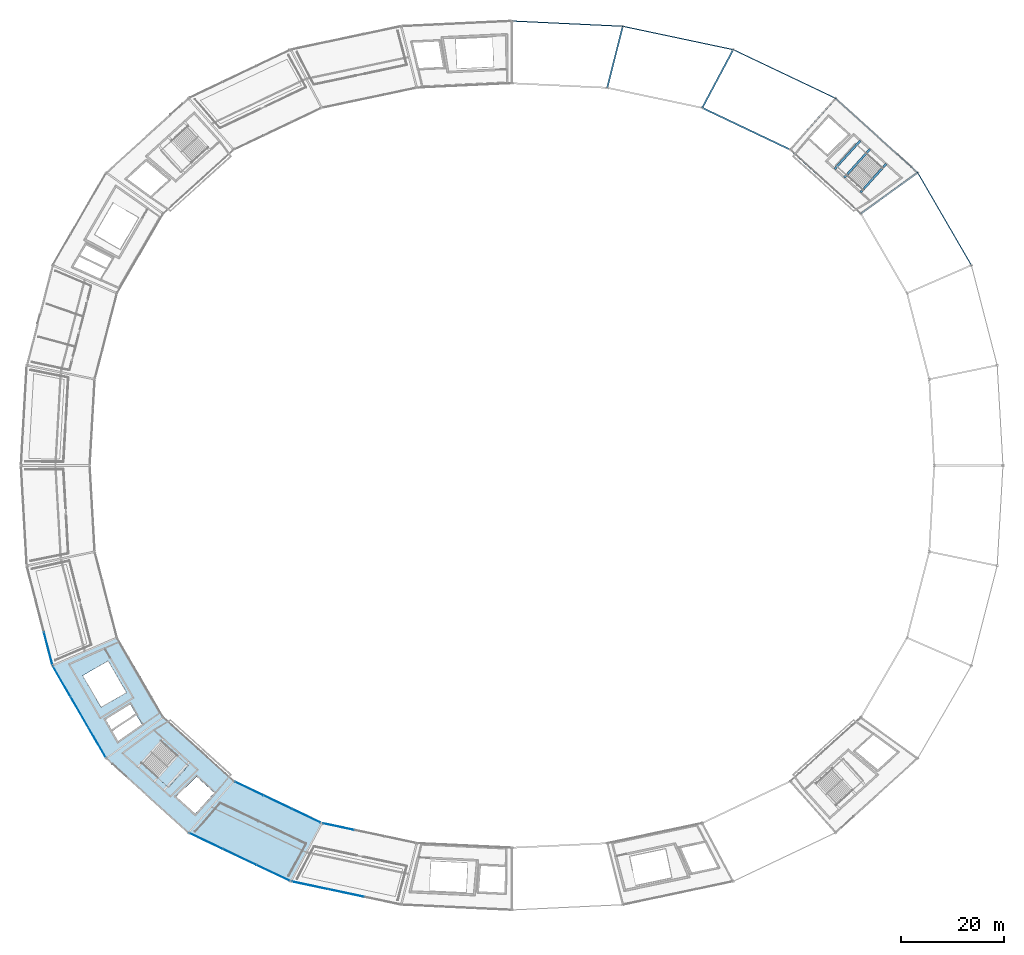
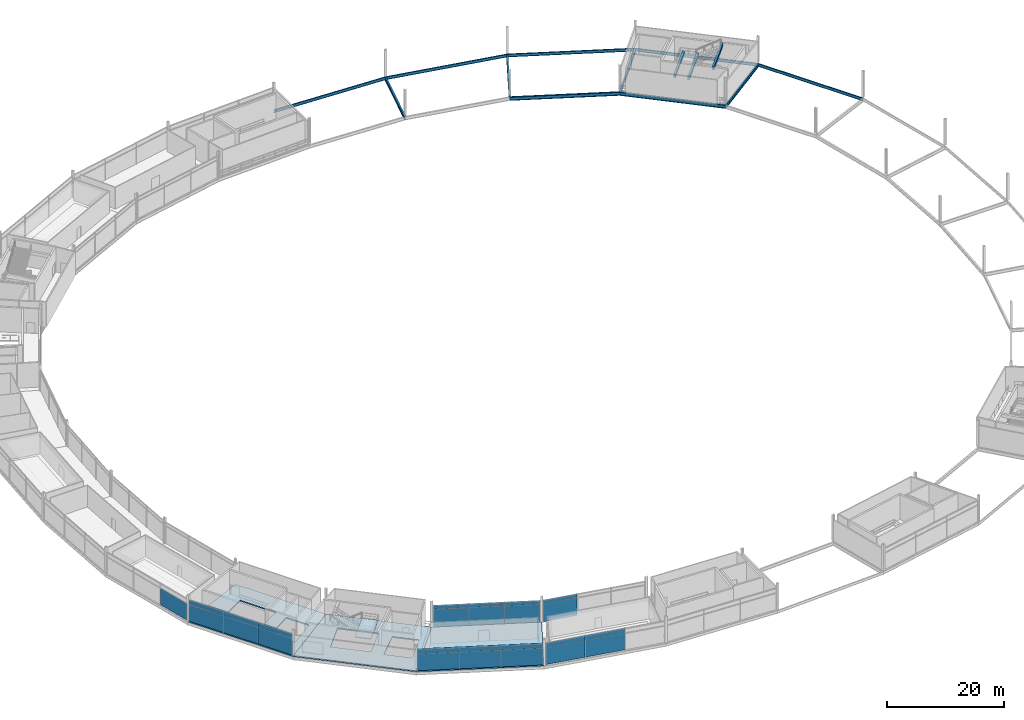
# One storey, part 63 of 86: 25 plates, 14 beams, 4 slabs, 7 elements without a shape of their own.
"""IFC4 building model written with IfcOpenShell, lengths in metres."""

from ifc_helpers import new_model, si_unit, direction, frame, origin, origin_2d, place, context, subcontext, project, spatial, polyline, rectangle, i_section, outline, extrude, material, layer, layer_set, material_profile, profile_set, type_object, element, aggregate, save


model = new_model("IFC4")

# Units and contexts
model_context = context("Model", 3, precision=1e-05, world=origin(), true_north=direction((0.0, 1.0)))
body_context = subcontext(model_context, "Body", "Model", "MODEL_VIEW")
ifc_project = project(units=[si_unit("LENGTHUNIT", "METRE"), si_unit("AREAUNIT", "SQUARE_METRE"), si_unit("VOLUMEUNIT", "CUBIC_METRE"), si_unit("PLANEANGLEUNIT", "RADIAN"), si_unit("MASSUNIT", "GRAM", prefix="KILO")], contexts=[model_context])

# Site, building, storey
site_placement = place(None, origin())
site = spatial("IfcSite", under=ifc_project, at=site_placement, CompositionType="ELEMENT")
building_placement = place(site_placement, origin())
building = spatial("IfcBuilding", under=site, at=building_placement, Name="Kazemori Nagisa Stadium", CompositionType="ELEMENT")
storey_placement = place(building_placement, frame((0.0, 0.0, 31.280029296875)))
storey = spatial("IfcBuildingStorey", under=building, at=storey_placement, Name="L06", CompositionType="ELEMENT", Elevation=31.280029296875)

# Beams
ifc_material_1 = material(Name="Steel SN490B", Category="steel")
ifc_material_profile_1 = material_profile(ifc_material_1, i_section(OverallWidth=0.300048828125, OverallDepth=0.699951171875, WebThickness=0.012939453125, FlangeThickness=0.02392578125, FilletRadius=0.01806640625, at=origin_2d()), Name="H-700x300x13x24")
ifc_profile_set_1 = profile_set([ifc_material_profile_1], Name="Steel SN490B")
beam_type_1 = type_object("IfcBeamType", Name="Beam_BG-H700", PredefinedType="BEAM", material=ifc_profile_set_1)
beam_1_placement = place(storey_placement, frame((190.506103515625, 150.734130859375, -0.610107421875), z_axis=(-0.741349142139, 0.671119549298, 0.0), x_axis=(-0.671119549298, -0.741349142139, 0.0)))
element("IfcBeam", 1, at=beam_1_placement, inside=storey, type_object=beam_type_1, Name="Ring girder BG-H700 L06 R2-04", PredefinedType="BEAM", context=body_context, shape_type="SweptSolid", body=[
    extrude(i_section(OverallWidth=0.300048828125, OverallDepth=0.699951171875, WebThickness=0.012939453125, FlangeThickness=0.02392578125, FilletRadius=0.01806640625, at=origin_2d()), origin(), (0.0, 0.0, 1.0), 18.44189453125),
])
beam_2_placement = place(storey_placement, frame((176.834228515625, 163.11083984375, -0.610107421875), z_axis=(-0.90321938295, 0.42917915404, 0.0), x_axis=(-0.42917915404, -0.90321938295, 0.0)))
element("IfcBeam", 2, at=beam_2_placement, inside=storey, type_object=beam_type_1, Name="Ring girder BG-H700 L06 R2-05", PredefinedType="BEAM", context=body_context, shape_type="SweptSolid", body=[
    extrude(i_section(OverallWidth=0.300048828125, OverallDepth=0.699951171875, WebThickness=0.012939453125, FlangeThickness=0.02392578125, FilletRadius=0.01806640625, at=origin_2d()), origin(), (0.0, 0.0, 1.0), 18.84619140625),
])
beam_3_placement = place(storey_placement, frame((190.506103515625, 150.734130859375, -0.610107421875), z_axis=(0.810787509935, 0.585340596349, 0.0), x_axis=(-0.585340596349, 0.810787509935, 0.0)))
element("IfcBeam", 3, at=beam_3_placement, inside=storey, type_object=beam_type_1, Name="Radial girder BG-H700 L06 R2-R3-04", PredefinedType="BEAM", context=body_context, shape_type="SweptSolid", body=[
    extrude(i_section(OverallWidth=0.300048828125, OverallDepth=0.699951171875, WebThickness=0.012939453125, FlangeThickness=0.02392578125, FilletRadius=0.01806640625, at=origin_2d()), origin(), (0.0, 0.0, 1.0), 13.5537109375),
])
beam_4_placement = place(storey_placement, frame((176.834228515625, 163.11083984375, -0.610107421875), z_axis=(0.661019680997, 0.750368563664, 0.0), x_axis=(-0.750368563664, 0.661019680997, 0.0)))
element("IfcBeam", 4, at=beam_4_placement, inside=storey, type_object=beam_type_1, Name="Radial girder BG-H700 L06 R2-R3-05", PredefinedType="BEAM", context=body_context, shape_type="SweptSolid", body=[
    extrude(i_section(OverallWidth=0.300048828125, OverallDepth=0.699951171875, WebThickness=0.012939453125, FlangeThickness=0.02392578125, FilletRadius=0.01806640625, at=origin_2d()), origin(), (0.0, 0.0, 1.0), 13.2578125),
])
beam_5_placement = place(storey_placement, frame((159.81201171875, 171.19921875, -0.610107421875), z_axis=(0.469648511848, 0.882853484628, 0.0), x_axis=(-0.882853484628, 0.469648511848, 0.0)))
element("IfcBeam", 5, at=beam_5_placement, inside=storey, type_object=beam_type_1, Name="Radial girder BG-H700 L06 R2-R3-06", PredefinedType="BEAM", context=body_context, shape_type="SweptSolid", body=[
    extrude(i_section(OverallWidth=0.300048828125, OverallDepth=0.699951171875, WebThickness=0.012939453125, FlangeThickness=0.02392578125, FilletRadius=0.01806640625, at=origin_2d()), origin(), (0.0, 0.0, 1.0), 12.760009765625),
])
beam_6_placement = place(storey_placement, frame((141.427734375, 175.088623046875, -0.610107421875), z_axis=(0.244487324834, 0.969652488263, 0.0), x_axis=(-0.969652488263, 0.244487324834, 0.0)))
element("IfcBeam", 6, at=beam_6_placement, inside=storey, type_object=beam_type_1, Name="Radial girder BG-H700 L06 R2-R3-07", PredefinedType="BEAM", context=body_context, shape_type="SweptSolid", body=[
    extrude(i_section(OverallWidth=0.300048828125, OverallDepth=0.699951171875, WebThickness=0.012939453125, FlangeThickness=0.02392578125, FilletRadius=0.01806640625, at=origin_2d()), origin(), (0.0, 0.0, 1.0), 12.2705078125),
])
ifc_material_2 = material(Name="Concrete C40/50 (Fc42)", Category="concrete")
ifc_material_profile_2 = material_profile(ifc_material_2, rectangle(XDim=0.39990234375, YDim=0.60009765625, at=origin_2d()), Name="RC-BM-400x600")
ifc_profile_set_2 = profile_set([ifc_material_profile_2], Name="Concrete C40/50 (Fc42)")
beam_type_2 = type_object("IfcBeamType", Name="Beam_BG-LND400X600", PredefinedType="BEAM", material=ifc_profile_set_2)
beam_7_placement = place(storey_placement, frame((187.307373046875, 157.717041015625, 2.219970703125), z_axis=(0.671129682405, 0.741339968837, 0.0), x_axis=(-0.741339968837, 0.671129682405, 0.0)))
element("IfcBeam", 7, at=beam_7_placement, inside=storey, type_object=beam_type_2, Name="Core stair mid-landing girder ST01-L06-1", PredefinedType="BEAM", context=body_context, shape_type="SweptSolid", body=[
    extrude(rectangle(XDim=0.39990234375, YDim=0.60009765625, at=origin_2d()), origin(), (0.0, 0.0, 1.0), 7.3857421875),
])
beam_8_placement = place(storey_placement, frame((185.4541015625, 159.394775390625, 2.219970703125), z_axis=(0.671113236271, 0.74135485707, 0.0), x_axis=(-0.74135485707, 0.671113236271, 0.0)))
element("IfcBeam", 8, at=beam_8_placement, inside=storey, type_object=beam_type_2, Name="Core stair mid-landing girder ST01-L06-2", PredefinedType="BEAM", context=body_context, shape_type="SweptSolid", body=[
    extrude(rectangle(XDim=0.39990234375, YDim=0.60009765625, at=origin_2d()), origin(), (0.0, 0.0, 1.0), 7.385986328125),
])
beam_9_placement = place(storey_placement, frame((190.454345703125, 154.8681640625, 4.85986328125), z_axis=(0.671129682405, 0.741339968837, 0.0), x_axis=(-0.741339968837, 0.671129682405, 0.0)))
element("IfcBeam", 9, at=beam_9_placement, inside=storey, type_object=beam_type_2, Name="Core stair arrival header girder ST01-L06", PredefinedType="BEAM", context=body_context, shape_type="SweptSolid", body=[
    extrude(rectangle(XDim=0.39990234375, YDim=0.60009765625, at=origin_2d()), origin(), (0.0, 0.0, 1.0), 7.3857421875),
])
ifc_material_profile_3 = material_profile(ifc_material_1, i_section(OverallWidth=0.199951171875, OverallDepth=0.60009765625, WebThickness=0.010986328125, FlangeThickness=0.01708984375, FilletRadius=0.012939453125, at=origin_2d()), Name="H-600x200x11x17")
ifc_profile_set_3 = profile_set([ifc_material_profile_3], Name="Steel SN490B")
beam_type_3 = type_object("IfcBeamType", Name="Beam_BS-H600", PredefinedType="SPANDREL", material=ifc_profile_set_3)
beam_10_placement = place(storey_placement, frame((211.885009765625, 140.74951171875, -0.56005859375), z_axis=(-0.50161277459, 0.8650922635, 0.0), x_axis=(-0.8650922635, -0.50161277459, 0.0)))
element("IfcBeam", 10, at=beam_10_placement, inside=storey, type_object=beam_type_3, Name="Ring girder BS-H600 L06 R3-03", PredefinedType="SPANDREL", context=body_context, shape_type="SweptSolid", body=[
    extrude(i_section(OverallWidth=0.199951171875, OverallDepth=0.60009765625, WebThickness=0.010986328125, FlangeThickness=0.01708984375, FilletRadius=0.012939453125, at=origin_2d()), origin(), (0.0, 0.0, 1.0), 20.71240234375),
])
beam_11_placement = place(storey_placement, frame((201.495361328125, 158.667724609375, -0.56005859375), z_axis=(-0.741351531326, 0.671116910084, 0.0), x_axis=(-0.671116910084, -0.741351531326, 0.0)))
element("IfcBeam", 11, at=beam_11_placement, inside=storey, type_object=beam_type_3, Name="Ring girder BS-H600 L06 R3-04", PredefinedType="SPANDREL", context=body_context, shape_type="SweptSolid", body=[
    extrude(i_section(OverallWidth=0.199951171875, OverallDepth=0.60009765625, WebThickness=0.010986328125, FlangeThickness=0.01708984375, FilletRadius=0.012939453125, at=origin_2d()), origin(), (0.0, 0.0, 1.0), 21.44384765625),
])
beam_12_placement = place(storey_placement, frame((185.597900390625, 173.05908203125, -0.56005859375), z_axis=(-0.903215644095, 0.429187022475, 0.0), x_axis=(-0.429187022475, -0.903215644095, 0.0)))
element("IfcBeam", 12, at=beam_12_placement, inside=storey, type_object=beam_type_3, Name="Ring girder BS-H600 L06 R3-05", PredefinedType="SPANDREL", context=body_context, shape_type="SweptSolid", body=[
    extrude(i_section(OverallWidth=0.199951171875, OverallDepth=0.60009765625, WebThickness=0.010986328125, FlangeThickness=0.01708984375, FilletRadius=0.012939453125, at=origin_2d()), origin(), (0.0, 0.0, 1.0), 21.9140625),
])
beam_13_placement = place(storey_placement, frame((165.8046875, 182.46435546875, -0.56005859375), z_axis=(-0.97834587432, 0.206976689994, 0.0), x_axis=(-0.206976689994, -0.97834587432, 0.0)))
element("IfcBeam", 13, at=beam_13_placement, inside=storey, type_object=beam_type_3, Name="Ring girder BS-H600 L06 R3-06", PredefinedType="SPANDREL", context=body_context, shape_type="SweptSolid", body=[
    extrude(i_section(OverallWidth=0.199951171875, OverallDepth=0.60009765625, WebThickness=0.010986328125, FlangeThickness=0.01708984375, FilletRadius=0.012939453125, at=origin_2d()), origin(), (0.0, 0.0, 1.0), 21.85009765625),
])
beam_14_placement = place(storey_placement, frame((144.427734375, 186.98681640625, -0.56005859375), z_axis=(-0.998883994571, 0.047230979144, 0.0), x_axis=(-0.047230979144, -0.998883994571, 0.0)))
element("IfcBeam", 14, at=beam_14_placement, inside=storey, type_object=beam_type_3, Name="Ring girder BS-H600 L06 R3-07", PredefinedType="SPANDREL", context=body_context, shape_type="SweptSolid", body=[
    extrude(i_section(OverallWidth=0.199951171875, OverallDepth=0.60009765625, WebThickness=0.010986328125, FlangeThickness=0.01708984375, FilletRadius=0.012939453125, at=origin_2d()), origin(), (0.0, 0.0, 1.0), 21.45166015625),
])

# Curtain wall, plate
ifc_material_3 = material(Name="Anodised aluminium 6063-T5", Category="aluminium")
ifc_layer_1 = layer(ifc_material_3, 0.239990234375, Name="Anodised aluminium 6063-T5", Category="aluminium")
ifc_layer_set_1 = layer_set([ifc_layer_1], Name="Anodised aluminium 6063-T5")
curtain_wall_type_1 = type_object("IfcCurtainWallType", Name="CW_L06G_91", PredefinedType="USERDEFINED", material=ifc_layer_set_1)
curtain_wall_1_placement = place(storey_placement, origin())
curtain_wall_1 = element("IfcCurtainWall", 15, at=curtain_wall_1_placement, inside=storey, type_object=curtain_wall_type_1, Name="Unitised curtain wall CW-L06G-91 L06", ObjectType="UNITISED CURTAIN WALL", PredefinedType="USERDEFINED")
ifc_material_4 = material(Name="Anodised aluminium spandrel sheet", Category="aluminium")
ifc_layer_2 = layer(ifc_material_4, 0.050048828125, Name="Anodised aluminium spandrel sheet", Category="aluminium")
ifc_layer_set_2 = layer_set([ifc_layer_2], Name="Anodised aluminium spandrel sheet")
plate_type_1 = type_object("IfcPlateType", Name="CWPanel_SPN_L06G_91", PredefinedType="CURTAIN_PANEL", material=ifc_layer_set_2)
plate_1_placement = place(storey_placement, frame((89.437744140625, 32.11328125, 3.6982421875), z_axis=(0.0, 0.0, 1.0), x_axis=(0.978344955407, -0.206981033502, 0.0)))
plate_1 = element("IfcPlate", 16, at=plate_1_placement, type_object=plate_type_1, Name="Curtain wall spandrel panel CW-L06G-91-S1", PredefinedType="CURTAIN_PANEL", context=body_context, shape_type="SweptSolid", body=[
    extrude(rectangle(XDim=6.049560546875, YDim=0.050048828125, at=origin_2d()), origin(), (0.0, 0.0, 1.0), 0.811767578125),
])

# Curtain wall, plates
ifc_layer_3 = layer(ifc_material_3, 0.239990234375, Name="Anodised aluminium 6063-T5", Category="aluminium")
ifc_layer_set_3 = layer_set([ifc_layer_3], Name="Anodised aluminium 6063-T5")
curtain_wall_type_2 = type_object("IfcCurtainWallType", Name="CW_L06G_92", PredefinedType="USERDEFINED", material=ifc_layer_set_3)
curtain_wall_2_placement = place(storey_placement, origin())
curtain_wall_2 = element("IfcCurtainWall", 17, at=curtain_wall_2_placement, inside=storey, type_object=curtain_wall_type_2, Name="Unitised curtain wall CW-L06G-92 L06", ObjectType="UNITISED CURTAIN WALL", PredefinedType="USERDEFINED")
ifc_layer_4 = layer(ifc_material_4, 0.050048828125, Name="Anodised aluminium spandrel sheet", Category="aluminium")
ifc_layer_set_4 = layer_set([ifc_layer_4], Name="Anodised aluminium spandrel sheet")
plate_type_2 = type_object("IfcPlateType", Name="CWPanel_SPN_L06G_92", PredefinedType="CURTAIN_PANEL", material=ifc_layer_set_4)
plate_2_placement = place(storey_placement, frame((72.17431640625, 39.459716796875, 3.6982421875), z_axis=(0.0, 0.0, 1.0), x_axis=(0.903215892654, -0.429186499388, 0.0)))
plate_2 = element("IfcPlate", 18, at=plate_2_placement, type_object=plate_type_2, Name="Curtain wall spandrel panel CW-L06G-92-S1", PredefinedType="CURTAIN_PANEL", context=body_context, shape_type="SweptSolid", body=[
    extrude(rectangle(XDim=6.068115234375, YDim=0.050048828125, at=origin_2d()), origin(), (0.0, 0.0, 1.0), 0.811767578125),
])
plate_3_placement = place(storey_placement, frame((77.6767578125, 36.844970703125, 3.6982421875), z_axis=(0.0, 0.0, 1.0), x_axis=(0.903215892654, -0.429186499388, 0.0)))
plate_3 = element("IfcPlate", 19, at=plate_3_placement, type_object=plate_type_2, Name="Curtain wall spandrel panel CW-L06G-92-S2", PredefinedType="CURTAIN_PANEL", context=body_context, shape_type="SweptSolid", body=[
    extrude(rectangle(XDim=6.068115234375, YDim=0.050048828125, at=origin_2d()), origin(), (0.0, 0.0, 1.0), 0.811767578125),
])
plate_4_placement = place(storey_placement, frame((83.17919921875, 34.23046875, 3.6982421875), z_axis=(0.0, 0.0, 1.0), x_axis=(0.903215892654, -0.429186499388, 0.0)))
plate_4 = element("IfcPlate", 20, at=plate_4_placement, type_object=plate_type_2, Name="Curtain wall spandrel panel CW-L06G-92-S3", PredefinedType="CURTAIN_PANEL", context=body_context, shape_type="SweptSolid", body=[
    extrude(rectangle(XDim=6.068115234375, YDim=0.050048828125, at=origin_2d()), origin(), (0.0, 0.0, 1.0), 0.811767578125),
])

ifc_layer_5 = layer(ifc_material_3, 0.239990234375, Name="Anodised aluminium 6063-T5", Category="aluminium")
ifc_layer_set_5 = layer_set([ifc_layer_5], Name="Anodised aluminium 6063-T5")
curtain_wall_type_3 = type_object("IfcCurtainWallType", Name="CW_L06R3_102", PredefinedType="USERDEFINED", material=ifc_layer_set_5)
curtain_wall_3_placement = place(storey_placement, origin())
curtain_wall_3 = element("IfcCurtainWall", 21, at=curtain_wall_3_placement, inside=storey, type_object=curtain_wall_type_3, Name="Unitised curtain wall CW-L06R3-102 L06", ObjectType="UNITISED CURTAIN WALL", PredefinedType="USERDEFINED")
ifc_layer_6 = layer(ifc_material_4, 0.053955078125, Name="Anodised aluminium spandrel sheet", Category="aluminium")
ifc_layer_set_6 = layer_set([ifc_layer_6], Name="Anodised aluminium spandrel sheet")
plate_type_3 = type_object("IfcPlateType", Name="CWPanel_SPN_L06R3_102", PredefinedType="CURTAIN_PANEL", material=ifc_layer_set_6)
plate_5_placement = place(storey_placement, frame((35.92529296875, 60.128662109375, 3.47265625), z_axis=(0.0, 0.0, 1.0), x_axis=(0.501611590054, -0.865092950337, 0.0)))
plate_5 = element("IfcPlate", 22, at=plate_5_placement, type_object=plate_type_3, Name="Curtain wall spandrel panel CW-L06R3-102-S1", PredefinedType="CURTAIN_PANEL", context=body_context, shape_type="SweptSolid", body=[
    extrude(rectangle(XDim=6.723388671875, YDim=0.053955078125, at=origin_2d()), origin(), (0.0, 0.0, 1.0), 1.037353515625),
])
plate_6_placement = place(storey_placement, frame((39.309814453125, 54.29150390625, 3.47265625), z_axis=(0.0, 0.0, 1.0), x_axis=(0.501611590054, -0.865092950337, 0.0)))
plate_6 = element("IfcPlate", 23, at=plate_6_placement, type_object=plate_type_3, Name="Curtain wall spandrel panel CW-L06R3-102-S2", PredefinedType="CURTAIN_PANEL", context=body_context, shape_type="SweptSolid", body=[
    extrude(rectangle(XDim=6.723388671875, YDim=0.053955078125, at=origin_2d()), origin(), (0.0, 0.0, 1.0), 1.037353515625),
])
plate_7_placement = place(storey_placement, frame((42.6943359375, 48.454345703125, 3.47265625), z_axis=(0.0, 0.0, 1.0), x_axis=(0.501611590054, -0.865092950337, 0.0)))
plate_7 = element("IfcPlate", 24, at=plate_7_placement, type_object=plate_type_3, Name="Curtain wall spandrel panel CW-L06R3-102-S3", PredefinedType="CURTAIN_PANEL", context=body_context, shape_type="SweptSolid", body=[
    extrude(rectangle(XDim=6.723388671875, YDim=0.053955078125, at=origin_2d()), origin(), (0.0, 0.0, 1.0), 1.037353515625),
])

ifc_layer_7 = layer(ifc_material_3, 0.239990234375, Name="Anodised aluminium 6063-T5", Category="aluminium")
ifc_layer_set_7 = layer_set([ifc_layer_7], Name="Anodised aluminium 6063-T5")
curtain_wall_type_4 = type_object("IfcCurtainWallType", Name="CW_L06R3_107", PredefinedType="USERDEFINED", material=ifc_layer_set_7)
curtain_wall_4_placement = place(storey_placement, origin())
curtain_wall_4 = element("IfcCurtainWall", 25, at=curtain_wall_4_placement, inside=storey, type_object=curtain_wall_type_4, Name="Unitised curtain wall CW-L06R3-107 L06", ObjectType="UNITISED CURTAIN WALL", PredefinedType="USERDEFINED")
ifc_layer_8 = layer(ifc_material_4, 0.053955078125, Name="Anodised aluminium spandrel sheet", Category="aluminium")
ifc_layer_set_8 = layer_set([ifc_layer_8], Name="Anodised aluminium spandrel sheet")
plate_type_4 = type_object("IfcPlateType", Name="CWPanel_SPN_L06R3_107", PredefinedType="CURTAIN_PANEL", material=ifc_layer_set_8)
plate_8_placement = place(storey_placement, frame((83.911376953125, 20.74951171875, 3.47265625), z_axis=(0.0, 0.0, 1.0), x_axis=(0.978344955407, -0.206981033502, 0.0)))
plate_8 = element("IfcPlate", 26, at=plate_8_placement, type_object=plate_type_4, Name="Curtain wall spandrel panel CW-L06R3-107-S1", PredefinedType="CURTAIN_PANEL", context=body_context, shape_type="SweptSolid", body=[
    extrude(rectangle(XDim=7.102783203125, YDim=0.053955078125, at=origin_2d()), origin(), (0.0, 0.0, 1.0), 1.037353515625),
])
plate_9_placement = place(storey_placement, frame((90.8837890625, 19.2744140625, 3.47265625), z_axis=(0.0, 0.0, 1.0), x_axis=(0.978344955407, -0.206981033502, 0.0)))
plate_9 = element("IfcPlate", 27, at=plate_9_placement, type_object=plate_type_4, Name="Curtain wall spandrel panel CW-L06R3-107-S2", PredefinedType="CURTAIN_PANEL", context=body_context, shape_type="SweptSolid", body=[
    extrude(rectangle(XDim=7.102783203125, YDim=0.053955078125, at=origin_2d()), origin(), (0.0, 0.0, 1.0), 1.037353515625),
])

ifc_layer_9 = layer(ifc_material_3, 0.239990234375, Name="Anodised aluminium 6063-T5", Category="aluminium")
ifc_layer_set_9 = layer_set([ifc_layer_9], Name="Anodised aluminium 6063-T5")
curtain_wall_type_5 = type_object("IfcCurtainWallType", Name="CW_L06R3_108", PredefinedType="USERDEFINED", material=ifc_layer_set_9)
curtain_wall_5_placement = place(storey_placement, origin())
curtain_wall_5 = element("IfcCurtainWall", 28, at=curtain_wall_5_placement, inside=storey, type_object=curtain_wall_type_5, Name="Unitised curtain wall CW-L06R3-108 L06", ObjectType="UNITISED CURTAIN WALL", PredefinedType="USERDEFINED")
ifc_layer_10 = layer(ifc_material_4, 0.053955078125, Name="Anodised aluminium spandrel sheet", Category="aluminium")
ifc_layer_set_10 = layer_set([ifc_layer_10], Name="Anodised aluminium spandrel sheet")
plate_type_5 = type_object("IfcPlateType", Name="CWPanel_SPN_L06R3_108", PredefinedType="CURTAIN_PANEL", material=ifc_layer_set_10)
plate_10_placement = place(storey_placement, frame((63.84228515625, 29.30615234375, 3.47265625), z_axis=(0.0, 0.0, 1.0), x_axis=(0.903215892654, -0.429186499388, 0.0)))
plate_10 = element("IfcPlate", 29, at=plate_10_placement, type_object=plate_type_5, Name="Curtain wall spandrel panel CW-L06R3-108-S1", PredefinedType="CURTAIN_PANEL", context=body_context, shape_type="SweptSolid", body=[
    extrude(rectangle(XDim=7.1240234375, YDim=0.053955078125, at=origin_2d()), origin(), (0.0, 0.0, 1.0), 1.037353515625),
])
plate_11_placement = place(storey_placement, frame((70.298583984375, 26.23828125, 3.47265625), z_axis=(0.0, 0.0, 1.0), x_axis=(0.903215892654, -0.429186499388, 0.0)))
plate_11 = element("IfcPlate", 30, at=plate_11_placement, type_object=plate_type_5, Name="Curtain wall spandrel panel CW-L06R3-108-S2", PredefinedType="CURTAIN_PANEL", context=body_context, shape_type="SweptSolid", body=[
    extrude(rectangle(XDim=7.1240234375, YDim=0.053955078125, at=origin_2d()), origin(), (0.0, 0.0, 1.0), 1.037353515625),
])
plate_12_placement = place(storey_placement, frame((76.7548828125, 23.170654296875, 3.47265625), z_axis=(0.0, 0.0, 1.0), x_axis=(0.903215892654, -0.429186499388, 0.0)))
plate_12 = element("IfcPlate", 31, at=plate_12_placement, type_object=plate_type_5, Name="Curtain wall spandrel panel CW-L06R3-108-S3", PredefinedType="CURTAIN_PANEL", context=body_context, shape_type="SweptSolid", body=[
    extrude(rectangle(XDim=7.1240234375, YDim=0.053955078125, at=origin_2d()), origin(), (0.0, 0.0, 1.0), 1.037353515625),
])

# Plate
ifc_material_5 = material(Name="Low-e laminated double glazing", Category="glass")
ifc_layer_11 = layer(ifc_material_5, 0.0400390625, Name="Low-e laminated double glazing", Category="glass")
ifc_layer_set_11 = layer_set([ifc_layer_11], Name="Low-e laminated double glazing")
plate_type_6 = type_object("IfcPlateType", Name="CWPanel_VIS_L06G_91", PredefinedType="CURTAIN_PANEL", material=ifc_layer_set_11)
plate_13_placement = place(storey_placement, frame((89.437744140625, 32.11328125, 0.0), z_axis=(0.0, 0.0, 1.0), x_axis=(0.978344955407, -0.206981033502, 0.0)))
plate_13 = element("IfcPlate", 32, at=plate_13_placement, type_object=plate_type_6, Name="Curtain wall vision panel CW-L06G-91-V1", PredefinedType="CURTAIN_PANEL", context=body_context, shape_type="SweptSolid", body=[
    extrude(rectangle(XDim=6.049560546875, YDim=0.0400390625, at=origin_2d()), origin(), (0.0, 0.0, 1.0), 3.6982421875),
])

aggregate(curtain_wall_1, [plate_13, plate_1])

ifc_layer_12 = layer(ifc_material_5, 0.0400390625, Name="Low-e laminated double glazing", Category="glass")
ifc_layer_set_12 = layer_set([ifc_layer_12], Name="Low-e laminated double glazing")
plate_type_7 = type_object("IfcPlateType", Name="CWPanel_VIS_L06G_92", PredefinedType="CURTAIN_PANEL", material=ifc_layer_set_12)
plate_14_placement = place(storey_placement, frame((72.17431640625, 39.459716796875, 0.0), z_axis=(0.0, 0.0, 1.0), x_axis=(0.903215892654, -0.429186499388, 0.0)))
plate_14 = element("IfcPlate", 33, at=plate_14_placement, type_object=plate_type_7, Name="Curtain wall vision panel CW-L06G-92-V1", PredefinedType="CURTAIN_PANEL", context=body_context, shape_type="SweptSolid", body=[
    extrude(rectangle(XDim=6.068115234375, YDim=0.0400390625, at=origin_2d()), origin(), (0.0, 0.0, 1.0), 3.6982421875),
])

plate_15_placement = place(storey_placement, frame((77.6767578125, 36.844970703125, 0.0), z_axis=(0.0, 0.0, 1.0), x_axis=(0.903215892654, -0.429186499388, 0.0)))
plate_15 = element("IfcPlate", 34, at=plate_15_placement, type_object=plate_type_7, Name="Curtain wall vision panel CW-L06G-92-V2", PredefinedType="CURTAIN_PANEL", context=body_context, shape_type="SweptSolid", body=[
    extrude(rectangle(XDim=6.068115234375, YDim=0.0400390625, at=origin_2d()), origin(), (0.0, 0.0, 1.0), 3.6982421875),
])

plate_16_placement = place(storey_placement, frame((83.17919921875, 34.23046875, 0.0), z_axis=(0.0, 0.0, 1.0), x_axis=(0.903215892654, -0.429186499388, 0.0)))
plate_16 = element("IfcPlate", 35, at=plate_16_placement, type_object=plate_type_7, Name="Curtain wall vision panel CW-L06G-92-V3", PredefinedType="CURTAIN_PANEL", context=body_context, shape_type="SweptSolid", body=[
    extrude(rectangle(XDim=6.068115234375, YDim=0.0400390625, at=origin_2d()), origin(), (0.0, 0.0, 1.0), 3.6982421875),
])

aggregate(curtain_wall_2, [plate_14, plate_2, plate_15, plate_3, plate_16, plate_4])

ifc_layer_13 = layer(ifc_material_5, 0.0380859375, Name="Low-e laminated double glazing", Category="glass")
ifc_layer_set_13 = layer_set([ifc_layer_13], Name="Low-e laminated double glazing")
plate_type_8 = type_object("IfcPlateType", Name="CWPanel_VIS_L06R3_102", PredefinedType="CURTAIN_PANEL", material=ifc_layer_set_13)
plate_17_placement = place(storey_placement, frame((35.92529296875, 60.128662109375, 0.0), z_axis=(0.0, 0.0, 1.0), x_axis=(0.501611590054, -0.865092950337, 0.0)))
plate_17 = element("IfcPlate", 36, at=plate_17_placement, type_object=plate_type_8, Name="Curtain wall vision panel CW-L06R3-102-V1", PredefinedType="CURTAIN_PANEL", context=body_context, shape_type="SweptSolid", body=[
    extrude(rectangle(XDim=6.723388671875, YDim=0.0380859375, at=origin_2d()), origin(), (0.0, 0.0, 1.0), 3.47265625),
])

plate_18_placement = place(storey_placement, frame((39.309814453125, 54.29150390625, 0.0), z_axis=(0.0, 0.0, 1.0), x_axis=(0.501611590054, -0.865092950337, 0.0)))
plate_18 = element("IfcPlate", 37, at=plate_18_placement, type_object=plate_type_8, Name="Curtain wall vision panel CW-L06R3-102-V2", PredefinedType="CURTAIN_PANEL", context=body_context, shape_type="SweptSolid", body=[
    extrude(rectangle(XDim=6.723388671875, YDim=0.0380859375, at=origin_2d()), origin(), (0.0, 0.0, 1.0), 3.47265625),
])

plate_19_placement = place(storey_placement, frame((42.6943359375, 48.454345703125, 0.0), z_axis=(0.0, 0.0, 1.0), x_axis=(0.501611590054, -0.865092950337, 0.0)))
plate_19 = element("IfcPlate", 38, at=plate_19_placement, type_object=plate_type_8, Name="Curtain wall vision panel CW-L06R3-102-V3", PredefinedType="CURTAIN_PANEL", context=body_context, shape_type="SweptSolid", body=[
    extrude(rectangle(XDim=6.723388671875, YDim=0.0380859375, at=origin_2d()), origin(), (0.0, 0.0, 1.0), 3.47265625),
])

aggregate(curtain_wall_3, [plate_17, plate_5, plate_18, plate_6, plate_19, plate_7])

ifc_layer_14 = layer(ifc_material_5, 0.0380859375, Name="Low-e laminated double glazing", Category="glass")
ifc_layer_set_14 = layer_set([ifc_layer_14], Name="Low-e laminated double glazing")
plate_type_9 = type_object("IfcPlateType", Name="CWPanel_VIS_L06R3_107", PredefinedType="CURTAIN_PANEL", material=ifc_layer_set_14)
plate_20_placement = place(storey_placement, frame((83.911376953125, 20.74951171875, 0.0), z_axis=(0.0, 0.0, 1.0), x_axis=(0.978344955407, -0.206981033502, 0.0)))
plate_20 = element("IfcPlate", 39, at=plate_20_placement, type_object=plate_type_9, Name="Curtain wall vision panel CW-L06R3-107-V1", PredefinedType="CURTAIN_PANEL", context=body_context, shape_type="SweptSolid", body=[
    extrude(rectangle(XDim=7.102783203125, YDim=0.0380859375, at=origin_2d()), origin(), (0.0, 0.0, 1.0), 3.47265625),
])

plate_21_placement = place(storey_placement, frame((90.8837890625, 19.2744140625, 0.0), z_axis=(0.0, 0.0, 1.0), x_axis=(0.978344955407, -0.206981033502, 0.0)))
plate_21 = element("IfcPlate", 40, at=plate_21_placement, type_object=plate_type_9, Name="Curtain wall vision panel CW-L06R3-107-V2", PredefinedType="CURTAIN_PANEL", context=body_context, shape_type="SweptSolid", body=[
    extrude(rectangle(XDim=7.102783203125, YDim=0.0380859375, at=origin_2d()), origin(), (0.0, 0.0, 1.0), 3.47265625),
])

aggregate(curtain_wall_4, [plate_20, plate_8, plate_21, plate_9])

ifc_layer_15 = layer(ifc_material_5, 0.0380859375, Name="Low-e laminated double glazing", Category="glass")
ifc_layer_set_15 = layer_set([ifc_layer_15], Name="Low-e laminated double glazing")
plate_type_10 = type_object("IfcPlateType", Name="CWPanel_VIS_L06R3_108", PredefinedType="CURTAIN_PANEL", material=ifc_layer_set_15)
plate_22_placement = place(storey_placement, frame((63.84228515625, 29.30615234375, 0.0), z_axis=(0.0, 0.0, 1.0), x_axis=(0.903215892654, -0.429186499388, 0.0)))
plate_22 = element("IfcPlate", 41, at=plate_22_placement, type_object=plate_type_10, Name="Curtain wall vision panel CW-L06R3-108-V1", PredefinedType="CURTAIN_PANEL", context=body_context, shape_type="SweptSolid", body=[
    extrude(rectangle(XDim=7.1240234375, YDim=0.0380859375, at=origin_2d()), origin(), (0.0, 0.0, 1.0), 3.47265625),
])

plate_23_placement = place(storey_placement, frame((70.298583984375, 26.23828125, 0.0), z_axis=(0.0, 0.0, 1.0), x_axis=(0.903215892654, -0.429186499388, 0.0)))
plate_23 = element("IfcPlate", 42, at=plate_23_placement, type_object=plate_type_10, Name="Curtain wall vision panel CW-L06R3-108-V2", PredefinedType="CURTAIN_PANEL", context=body_context, shape_type="SweptSolid", body=[
    extrude(rectangle(XDim=7.1240234375, YDim=0.0380859375, at=origin_2d()), origin(), (0.0, 0.0, 1.0), 3.47265625),
])

plate_24_placement = place(storey_placement, frame((76.7548828125, 23.170654296875, 0.0), z_axis=(0.0, 0.0, 1.0), x_axis=(0.903215892654, -0.429186499388, 0.0)))
plate_24 = element("IfcPlate", 43, at=plate_24_placement, type_object=plate_type_10, Name="Curtain wall vision panel CW-L06R3-108-V3", PredefinedType="CURTAIN_PANEL", context=body_context, shape_type="SweptSolid", body=[
    extrude(rectangle(XDim=7.1240234375, YDim=0.0380859375, at=origin_2d()), origin(), (0.0, 0.0, 1.0), 3.47265625),
])

aggregate(curtain_wall_5, [plate_22, plate_10, plate_23, plate_11, plate_24, plate_12])

# Curtain wall, plate
ifc_layer_16 = layer(ifc_material_3, 0.239990234375, Name="Anodised aluminium 6063-T5", Category="aluminium")
ifc_layer_set_16 = layer_set([ifc_layer_16], Name="Anodised aluminium 6063-T5")
curtain_wall_type_6 = type_object("IfcCurtainWallType", Name="CW_L06R3_98", PredefinedType="USERDEFINED", material=ifc_layer_set_16)
curtain_wall_6_placement = place(storey_placement, origin())
curtain_wall_6 = element("IfcCurtainWall", 44, at=curtain_wall_6_placement, inside=storey, type_object=curtain_wall_type_6, Name="Unitised curtain wall CW-L06R3-98 L06", ObjectType="UNITISED CURTAIN WALL", PredefinedType="USERDEFINED")
ifc_layer_17 = layer(ifc_material_5, 0.0380859375, Name="Low-e laminated double glazing", Category="glass")
ifc_layer_set_17 = layer_set([ifc_layer_17], Name="Low-e laminated double glazing")
plate_type_11 = type_object("IfcPlateType", Name="CWPanel_VIS_L06R3_98", PredefinedType="CURTAIN_PANEL", material=ifc_layer_set_17)
plate_25_placement = place(storey_placement, frame((33.2431640625, 66.62744140625, 0.0), z_axis=(0.0, 0.0, 1.0), x_axis=(0.249964642418, -0.968254965152, 0.0)))
plate_25 = element("IfcPlate", 45, at=plate_25_placement, type_object=plate_type_11, Name="Curtain wall vision panel CW-L06R3-98-V3", PredefinedType="CURTAIN_PANEL", context=body_context, shape_type="SweptSolid", body=[
    extrude(rectangle(XDim=6.4814453125, YDim=0.0380859375, at=origin_2d()), origin(), (0.0, 0.0, 1.0), 3.47265625),
])
aggregate(curtain_wall_6, [plate_25])

# Stair, slab
ifc_material_6 = material(Name="Concrete C36/45 (Fc36)", Category="concrete")
stair_type = type_object("IfcStairType", Name="Stair_CORE_32", PredefinedType="TWO_STRAIGHT_RUN_STAIR", material=ifc_material_6)
stair_placement = place(storey_placement, origin())
stair = element("IfcStair", 46, at=stair_placement, inside=storey, type_object=stair_type, Name="Exit stair ST03 L06", PredefinedType="TWO_STRAIGHT_RUN_STAIR")
ifc_layer_18 = layer(ifc_material_6, 0.199951171875, Name="Concrete C36/45 (Fc36)", Category="concrete")
ifc_layer_set_18 = layer_set([ifc_layer_18], Name="Concrete C36/45 (Fc36)")
slab_type_1 = type_object("IfcSlabType", Name="Slab_SL-LND-200", PredefinedType="LANDING", material=ifc_layer_set_18)
slab_1_placement = place(storey_placement, frame((0.0, 0.0, 2.52001953125)))
slab_1 = element("IfcSlab", 47, at=slab_1_placement, type_object=slab_type_1, Name="Exit stair ST03 L06 mid-landing", PredefinedType="LANDING", context=body_context, shape_type="SweptSolid", body=[
    extrude(outline(polyline([(58.270751953125, 45.81689453125), (60.383544921875, 43.904052734375), (56.55810546875, 39.678466796875), (54.4453125, 41.591064453125), (58.270751953125, 45.81689453125)])), origin(), (0.0, 0.0, 1.0), 0.199951171875),
])
aggregate(stair, [slab_1])

# Slabs
ifc_layer_19 = layer(ifc_material_6, 0.260009765625, Name="Concrete C36/45 (Fc36)", Category="concrete")
ifc_layer_set_19 = layer_set([ifc_layer_19], Name="Concrete C36/45 (Fc36)")
slab_type_2 = type_object("IfcSlabType", Name="Slab_SL-MEDIA-260", PredefinedType="FLOOR", material=ifc_layer_set_19)
slab_2_placement = place(storey_placement, frame((0.0, 0.0, -0.260009765625)))
element("IfcSlab", 48, at=slab_2_placement, inside=storey, type_object=slab_type_2, Name="Concourse floor slab L06 bay 17", PredefinedType="FLOOR", context=body_context, shape_type="SweptSolid", body=[
    extrude(outline(polyline([(46.55908203125, 68.67529296875), (55.493896484375, 53.265869140625), (44.504638671875, 45.332275390625), (34.114990234375, 63.25048828125), (46.55908203125, 68.67529296875)]), holes=[polyline([(44.858642578125, 64.196044921875), (48.41748046875, 58.05810546875), (43.486572265625, 55.198974609375), (39.927490234375, 61.336669921875), (44.858642578125, 64.196044921875)]), polyline([(49.128662109375, 55.793701171875), (51.3828125, 51.90625), (46.787841796875, 48.6923828125), (44.38916015625, 52.829345703125), (49.128662109375, 55.793701171875)])]), origin(), (0.0, 0.0, 1.0), 0.260009765625),
])
slab_3_placement = place(storey_placement, frame((0.0, 0.0, -0.260009765625)))
element("IfcSlab", 49, at=slab_3_placement, inside=storey, type_object=slab_type_2, Name="Concourse floor slab L06 bay 18", PredefinedType="FLOOR", context=body_context, shape_type="SweptSolid", body=[
    extrude(outline(polyline([(55.493896484375, 53.265869140625), (69.165771484375, 40.88916015625), (60.402099609375, 30.94091796875), (44.504638671875, 45.332275390625), (55.493896484375, 53.265869140625)]), holes=[polyline([(55.12353515625, 48.665771484375), (60.383544921875, 43.904052734375), (56.55810546875, 39.678466796875), (51.29833984375, 44.43994140625), (55.12353515625, 48.665771484375)]), polyline([(61.956298828125, 41.795654296875), (65.405517578125, 38.67333984375), (61.710205078125, 34.6103515625), (58.039794921875, 37.93310546875), (61.956298828125, 41.795654296875)])]), origin(), (0.0, 0.0, 1.0), 0.260009765625),
])
slab_4_placement = place(storey_placement, frame((0.0, 0.0, -0.260009765625)))
element("IfcSlab", 50, at=slab_4_placement, inside=storey, type_object=slab_type_2, Name="Concourse floor slab L06 bay 19", PredefinedType="FLOOR", context=body_context, shape_type="SweptSolid", body=[
    extrude(outline(polyline([(69.165771484375, 40.88916015625), (86.18798828125, 32.80078125), (80.1953125, 21.53564453125), (60.402099609375, 30.94091796875), (69.165771484375, 40.88916015625)])), origin(), (0.0, 0.0, 1.0), 0.260009765625),
])

save(model, "model.ifc")
